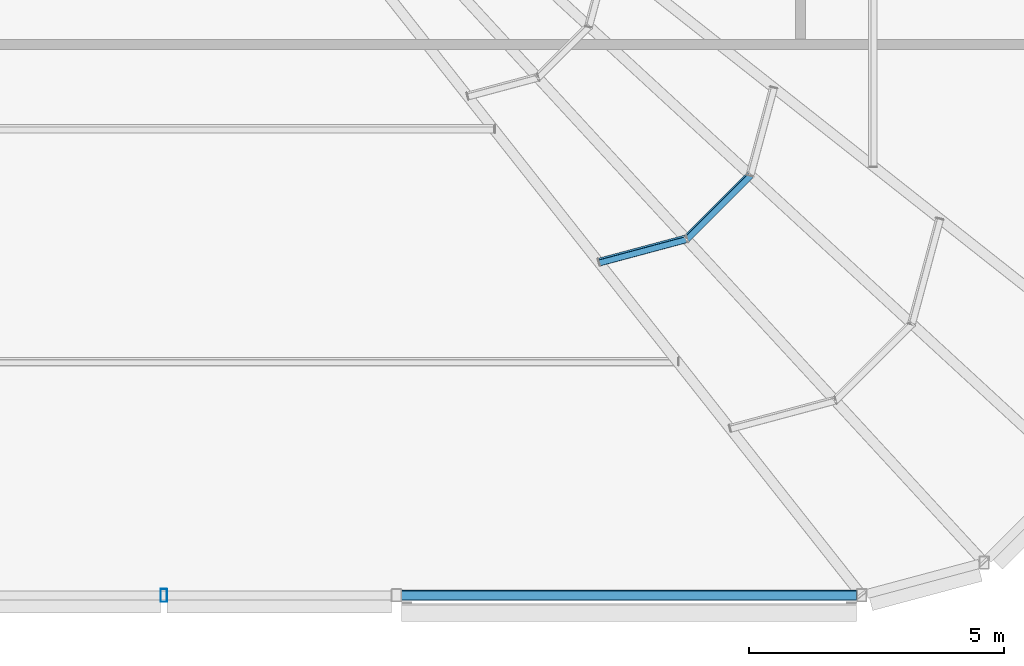
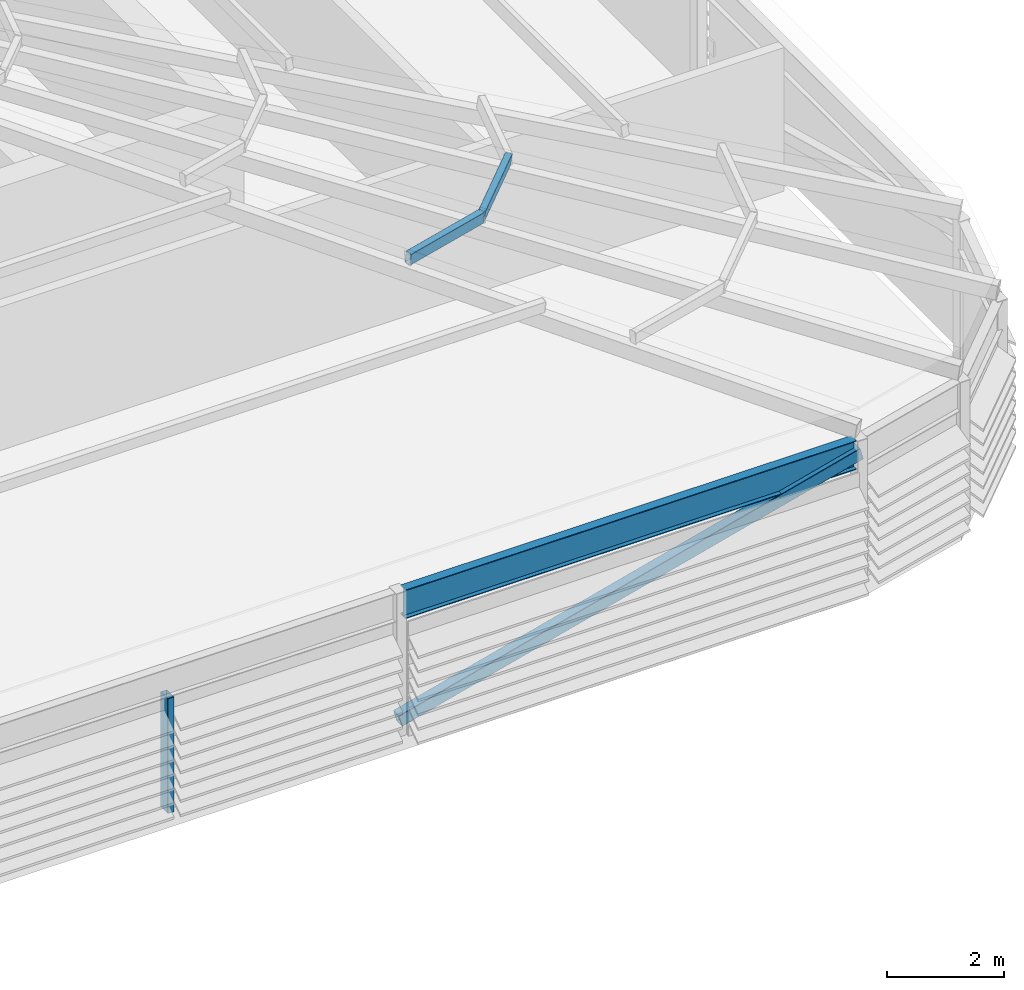
# One storey, part 10 of 46: 4 members, 1 beam.
"""IFC4 building model written with IfcOpenShell, lengths in metres."""

from ifc_helpers import new_model, si_unit, direction, frame, origin, origin_2d, place, context, subcontext, project, spatial, hollow_rectangle, i_section, extrude, material, material_profile, profile_set, type_object, element, save


model = new_model("IFC4")

# Units and contexts
model_context = context("Model", 3, precision=1e-05, world=origin(), true_north=direction((0.0, 1.0)))
body_context = subcontext(model_context, "Body", "Model", "MODEL_VIEW")
ifc_project = project(units=[si_unit("LENGTHUNIT", "METRE"), si_unit("AREAUNIT", "SQUARE_METRE"), si_unit("VOLUMEUNIT", "CUBIC_METRE"), si_unit("PLANEANGLEUNIT", "RADIAN"), si_unit("MASSUNIT", "GRAM", prefix="KILO")], contexts=[model_context])

# Site, building, storey
site_placement = place(None, origin())
site = spatial("IfcSite", under=ifc_project, at=site_placement, CompositionType="ELEMENT")
building_placement = place(site_placement, origin())
building = spatial("IfcBuilding", under=site, at=building_placement, Name="Madar Terraces", CompositionType="ELEMENT")
storey_placement = place(building_placement, frame((0.0, 0.0, 317.300048828125)))
storey = spatial("IfcBuildingStorey", under=building, at=storey_placement, Name="L82", CompositionType="ELEMENT", Elevation=317.300048828125)

# Beam
ifc_material_1 = material(Name="Steel ASTM A992 Grade 50", Category="steel")
ifc_material_profile_1 = material_profile(ifc_material_1, i_section(OverallWidth=0.1787109375, OverallDepth=0.60205078125, WebThickness=0.010986328125, FlangeThickness=0.014892578125, at=origin_2d()), Name="W24x62")
ifc_profile_set_1 = profile_set([ifc_material_profile_1], Name="Steel ASTM A992 Grade 50")
beam_type = type_object("IfcBeamType", Name="CF2 W24x62", PredefinedType="BEAM", material=ifc_profile_set_1)
beam_placement = place(storey_placement, frame((42.58154296875, 1.199951171875, 2.698974609375), z_axis=(1.0, 0.0, 0.0), x_axis=(0.0, 1.0, 0.0)))
element("IfcBeam", 1, at=beam_placement, inside=storey, type_object=beam_type, Name="Crown frame ring beam CF2", PredefinedType="BEAM", context=body_context, shape_type="SweptSolid", body=[
    extrude(i_section(OverallWidth=0.1787109375, OverallDepth=0.60205078125, WebThickness=0.010986328125, FlangeThickness=0.014892578125, at=origin_2d()), origin(), (0.0, 0.0, 1.0), 8.916748046875),
])

# Members
ifc_material_2 = material(Name="Steel ASTM A500 Grade C", Category="steel")
ifc_material_profile_2 = material_profile(ifc_material_2, hollow_rectangle(XDim=0.126953125, YDim=0.25390625, WallThickness=0.00634765625, InnerFilletRadius=0.0029296875, OuterFilletRadius=0.0087890625, at=origin_2d()), Name="HSS10x5x.25")
ifc_profile_set_2 = profile_set([ifc_material_profile_2], Name="Steel ASTM A500 Grade C")
member_type_1 = type_object("IfcMemberType", Name="CF4 HSS10x5x.25", PredefinedType="PURLIN", material=ifc_profile_set_2)
member_1_placement = place(storey_placement, frame((46.45263671875, 7.730712890625, 4.5712890625), z_axis=(0.965909979169, 0.258878180119, 0.0), x_axis=(-0.256540423801, 0.957187489869, 0.13408624163)))
element("IfcMember", 2, at=member_1_placement, inside=storey, type_object=member_type_1, Name="Crown frame purlin 10", PredefinedType="PURLIN", context=body_context, shape_type="SweptSolid", body=[
    extrude(hollow_rectangle(XDim=0.126953125, YDim=0.25390625, WallThickness=0.00634765625, InnerFilletRadius=0.0029296875, OuterFilletRadius=0.0087890625, at=origin_2d()), origin(), (0.0, 0.0, 1.0), 1.77490234375),
])
member_2_placement = place(storey_placement, frame((48.15966796875, 8.185546875, 4.571044921875), z_axis=(0.707106781187, 0.707106781187, 0.0), x_axis=(-0.700941463334, 0.700941463334, 0.131765435371)))
element("IfcMember", 3, at=member_2_placement, inside=storey, type_object=member_type_1, Name="Crown frame purlin 14", PredefinedType="PURLIN", context=body_context, shape_type="SweptSolid", body=[
    extrude(hollow_rectangle(XDim=0.126953125, YDim=0.25390625, WallThickness=0.00634765625, InnerFilletRadius=0.0029296875, OuterFilletRadius=0.0087890625, at=origin_2d()), origin(), (0.0, 0.0, 1.0), 1.774658203125),
])
ifc_material_3 = material(Name="Steel ASTM A500 Grade C", Category="steel")
ifc_material_profile_3 = material_profile(ifc_material_3, hollow_rectangle(XDim=0.203125, YDim=0.25390625, WallThickness=0.009521484375, InnerFilletRadius=0.00439453125, OuterFilletRadius=0.01318359375, at=origin_2d()), Name="HSS10x8x.375")
ifc_profile_set_3 = profile_set([ifc_material_profile_3], Name="Steel ASTM A500 Grade C")
member_type_2 = type_object("IfcMemberType", Name="CF5 crown frame brace HSS10x8x.375", PredefinedType="BRACE", material=ifc_profile_set_3)
member_3_placement = place(storey_placement, frame((42.47998046875, 1.199951171875, 0.300048828125), z_axis=(0.967103370948, 0.0, 0.254383706043), x_axis=(0.0, 1.0, 0.0)))
element("IfcMember", 4, at=member_3_placement, inside=storey, type_object=member_type_2, Name="Crown frame brace CF5", PredefinedType="BRACE", context=body_context, shape_type="SweptSolid", body=[
    extrude(hollow_rectangle(XDim=0.203125, YDim=0.25390625, WallThickness=0.009521484375, InnerFilletRadius=0.00439453125, OuterFilletRadius=0.01318359375, at=origin_2d()), origin(), (0.0, 0.0, 1.0), 9.430419921875),
])
ifc_material_4 = material(Name="Steel ASTM A500 Grade C", Category="steel")
ifc_material_profile_4 = material_profile(ifc_material_4, hollow_rectangle(XDim=0.126953125, YDim=0.25390625, WallThickness=0.00634765625, InnerFilletRadius=0.0029296875, OuterFilletRadius=0.0087890625, at=origin_2d()), Name="HSS10x5x.25")
ifc_profile_set_4 = profile_set([ifc_material_profile_4], Name="Steel ASTM A500 Grade C")
member_type_3 = type_object("IfcMemberType", Name="LS2 HSS10x5x.25", PredefinedType="POST", material=ifc_profile_set_4)
member_4_placement = place(storey_placement, frame((37.919921875, 1.199951171875, 0.0), z_axis=(0.0, 0.0, 1.0), x_axis=(1.0, 0.0, 0.0)))
element("IfcMember", 5, at=member_4_placement, inside=storey, type_object=member_type_3, Name="Crown louvre post LS2", PredefinedType="POST", context=body_context, shape_type="SweptSolid", body=[
    extrude(hollow_rectangle(XDim=0.126953125, YDim=0.25390625, WallThickness=0.00634765625, InnerFilletRadius=0.0029296875, OuterFilletRadius=0.0087890625, at=origin_2d()), origin(), (0.0, 0.0, 1.0), 2.39794921875),
])

save(model, "model.ifc")
